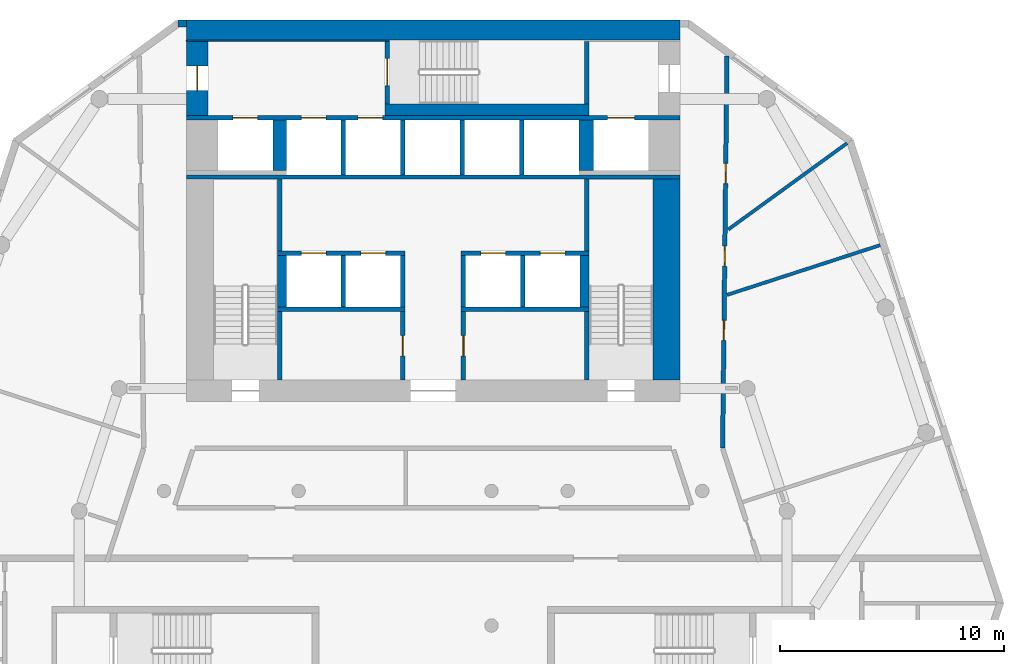
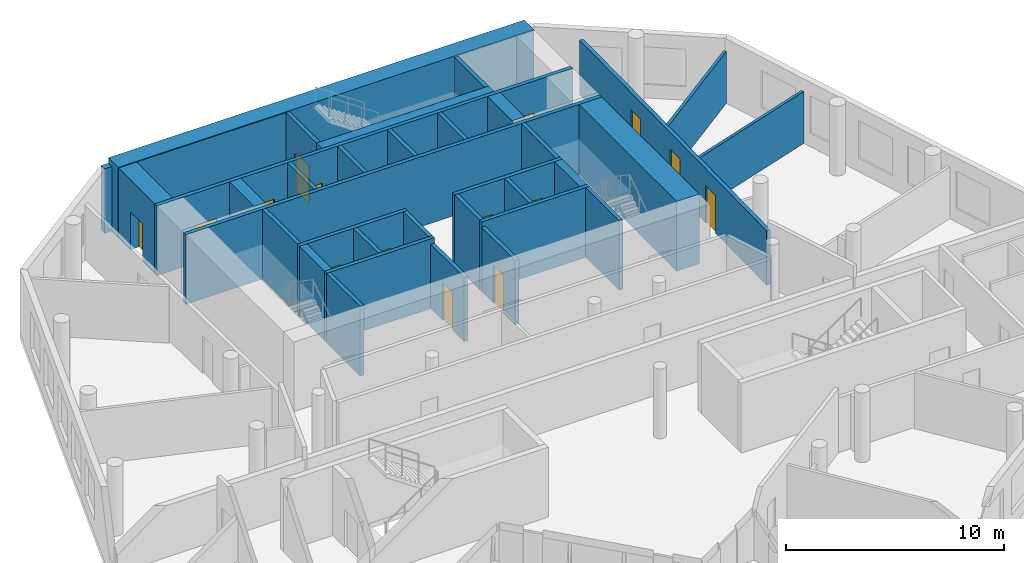
# One storey, part 5 of 8: 35 walls, 15 doors, 15 openings.
"""IFC4 building model written with IfcOpenShell, lengths in metres."""

import ifcopenshell
import ifcopenshell.guid

model = None  # the IFC model being written
_history = None  # IfcOwnerHistory: only IFC2X3 demands one
_inside = {}  # id of a spatial element -> (the spatial element, [elements in it])
_under = {}  # id of a project, library or spatial element -> (it, [spatial elements below it])
_declared = {}  # id of a project -> (the project, [libraries it declares])
_typed = {}  # id of a type object -> (the type object, [elements of that type])
_made_of = {}  # id of a material, layer set ... -> (it, [elements and type objects made of it])


def new_model(schema):
    """Start an empty IFC model of exactly this schema.

    Asked for "IFC4X3", IfcOpenShell would pick the latest addendum, in which some entities
    have other attributes; the version numbers below select the first issue.
    IFC2X3 requires an IfcOwnerHistory on every rooted entity: one is made here for all.
    """
    global model, _history
    if schema == "IFC4X3":
        model = ifcopenshell.file(schema_version=(4, 3, 0, 0))
    else:
        model = ifcopenshell.file(schema=schema)
    _inside.clear()
    _under.clear()
    _declared.clear()
    _typed.clear()
    _made_of.clear()
    _history = None
    if model.schema == "IFC2X3":
        org = make("IfcOrganization", Name="unknown")
        user = make(
            "IfcPersonAndOrganization",
            ThePerson=make("IfcPerson", FamilyName="unknown"),
            TheOrganization=org,
        )
        app = make(
            "IfcApplication",
            ApplicationDeveloper=org,
            Version="unknown",
            ApplicationFullName="unknown",
            ApplicationIdentifier="unknown",
        )
        _history = make(
            "IfcOwnerHistory",
            OwningUser=user,
            OwningApplication=app,
            ChangeAction="ADDED",
            CreationDate=0,
        )
    return model


def make(cls, **values):
    """One entity of the class cls with the attributes given. An attribute that is None is left unset."""
    return model.create_entity(
        cls, **{name: value for name, value in values.items() if value is not None}
    )


def rooted(cls, **values):
    """An entity with a GlobalId (a new one), such as an element, a storey or a relation."""
    return make(cls, GlobalId=ifcopenshell.guid.new(), OwnerHistory=_history, **values)


def si_unit(unit_type, name, prefix=None):
    """IfcSIUnit, for example si_unit("LENGTHUNIT", "METRE", prefix="MILLI")."""
    return make("IfcSIUnit", UnitType=unit_type, Prefix=prefix, Name=name)


def assignment(units):
    """IfcUnitAssignment: the units of a project."""
    return None if units is None else make("IfcUnitAssignment", Units=units)


def point(xyz):
    """IfcCartesianPoint."""
    return None if xyz is None else make("IfcCartesianPoint", Coordinates=xyz)


def direction(xyz):
    """IfcDirection."""
    return None if xyz is None else make("IfcDirection", DirectionRatios=xyz)


def frame(location, z_axis=None, x_axis=None):
    """IfcAxis2Placement3D, a coordinate frame: its origin and axes. An axis left out is left unset."""
    return make(
        "IfcAxis2Placement3D",
        Location=point(location),
        Axis=direction(z_axis),
        RefDirection=direction(x_axis),
    )


def frame_2d(location, x_axis=None):
    """IfcAxis2Placement2D, a coordinate frame in the plane: its origin and x axis."""
    return make(
        "IfcAxis2Placement2D", Location=point(location), RefDirection=direction(x_axis)
    )


def origin():
    """The frame at (0, 0, 0) with its axes left unset."""
    return frame((0.0, 0.0, 0.0))


def place(relative_to, where):
    """IfcLocalPlacement: puts the frame where relative to a parent placement (None: the world)."""
    return make(
        "IfcLocalPlacement", PlacementRelTo=relative_to, RelativePlacement=where
    )


def context(
    kind, dimensions, precision=None, world=None, true_north=None, identifier=None
):
    """IfcGeometricRepresentationContext, for example the 3D "Model" context."""
    return make(
        "IfcGeometricRepresentationContext",
        ContextIdentifier=identifier,
        ContextType=kind,
        CoordinateSpaceDimension=dimensions,
        Precision=precision,
        WorldCoordinateSystem=world,
        TrueNorth=true_north,
    )


def subcontext(parent, identifier, kind, view, scale=None):
    """IfcGeometricRepresentationSubContext, for example "Body" below "Model"."""
    return make(
        "IfcGeometricRepresentationSubContext",
        ContextIdentifier=identifier,
        ContextType=kind,
        ParentContext=parent,
        TargetScale=scale,
        TargetView=view,
    )


def project(units=None, contexts=None):
    """IfcProject with its units and contexts."""
    return rooted(
        "IfcProject",
        Name="project",
        RepresentationContexts=contexts,
        UnitsInContext=assignment(units),
    )


def spatial(cls, under=None, at=None, **own):
    """A site, building, storey or space (cls), placed at a placement, below another one or the project."""
    s = rooted(cls, ObjectPlacement=at, **own)
    if under is not None:
        _under.setdefault(under.id(), (under, []))[1].append(s)
    return s


def profile(cls, at=None, kind="AREA", **sizes):
    """A parametric profile (cls). Its sizes go by their IFC names, for example OverallWidth=200.0."""
    return make(cls, ProfileType=kind, Position=at, **sizes)


def rectangle(**sizes):
    """IfcRectangleProfileDef."""
    return profile("IfcRectangleProfileDef", **sizes)


def extrude(swept, where, along, depth):
    """IfcExtrudedAreaSolid: the profile swept, set in the frame where, extruded along a direction by depth."""
    return make(
        "IfcExtrudedAreaSolid",
        SweptArea=swept,
        Position=where,
        ExtrudedDirection=direction(along),
        Depth=depth,
    )


def shape(context_of_items, identifier, shape_type, items):
    """IfcShapeRepresentation: the items that make up one representation, for example the "Body"."""
    return make(
        "IfcShapeRepresentation",
        ContextOfItems=context_of_items,
        RepresentationIdentifier=identifier,
        RepresentationType=shape_type,
        Items=items,
    )


def material(Name=None, Category=None):
    """IfcMaterial."""
    return make("IfcMaterial", Name=Name, Category=Category)


def layer(
    of_material, thickness, ventilated=None, Name=None, Category=None, Priority=None
):
    """IfcMaterialLayer: one layer of a wall or slab, of a material (None: an air gap)."""
    return make(
        "IfcMaterialLayer",
        Material=of_material,
        LayerThickness=thickness,
        IsVentilated=ventilated,
        Name=Name,
        Category=Category,
        Priority=Priority,
    )


def layer_set(layers, Name=None):
    """IfcMaterialLayerSet."""
    return make("IfcMaterialLayerSet", MaterialLayers=layers, LayerSetName=Name)


def made_of(thing, what):
    """Note that an element or type object is made of a material, layer set ...; save() writes the relation."""
    if what is not None:
        _made_of.setdefault(what.id(), (what, []))[1].append(thing)
    return thing


def type_object(cls, material=None, **own):
    """A type object (cls), such as IfcWallType, which elements share."""
    return made_of(rooted(cls, **own), material)


def element(
    cls,
    number,
    at=None,
    inside=None,
    cuts=None,
    type_object=None,
    material=None,
    context=None,
    identifier="Body",
    shape_type=None,
    held_by="IfcProductDefinitionShape",
    body=None,
    shapes=None,
    **own,
):
    """One element of the class cls, such as IfcWall. Its Tag is "e" and its number.

    at: its placement. inside: the storey or other place that contains it. cuts: it is an
    opening in that element (IfcRelVoidsElement). A single representation is given by context,
    identifier, shape_type and body (its items); several are given by shapes. held_by: the class
    of the entity that holds the representations. save() writes the other relations.
    """
    e = rooted(cls, Tag="e%d" % number, ObjectPlacement=at, **own)
    if body is not None:
        shapes = [shape(context, identifier, shape_type, body)]
    if shapes is not None:
        e.Representation = make(held_by, Representations=shapes)
    if inside is not None:
        _inside.setdefault(inside.id(), (inside, []))[1].append(e)
    if cuts is not None:
        rooted(
            "IfcRelVoidsElement", RelatingBuildingElement=cuts, RelatedOpeningElement=e
        )
    if type_object is not None:
        _typed.setdefault(type_object.id(), (type_object, []))[1].append(e)
    return made_of(e, material)


def fill(opening, filler):
    """IfcRelFillsElement: the door or window that sits in an opening."""
    return rooted(
        "IfcRelFillsElement",
        RelatingOpeningElement=opening,
        RelatedBuildingElement=filler,
    )


def aggregate(whole, parts):
    """IfcRelAggregates: a whole, such as a stair, and the parts it consists of."""
    return rooted("IfcRelAggregates", RelatingObject=whole, RelatedObjects=parts)


def save(model, path):
    """Write the relations noted so far, then the file.

    IfcRelAggregates (storeys below a building ...), IfcRelContainedInSpatialStructure (elements
    in a storey), IfcRelDefinesByType, IfcRelAssociatesMaterial and IfcRelDeclares: one each for
    every whole, place, type object, material and project.
    """
    for whole, parts in _under.values():
        aggregate(whole, parts)
    for where, things in _inside.values():
        rooted(
            "IfcRelContainedInSpatialStructure",
            RelatedElements=things,
            RelatingStructure=where,
        )
    for kind, things in _typed.values():
        rooted("IfcRelDefinesByType", RelatedObjects=things, RelatingType=kind)
    for what, things in _made_of.values():
        rooted("IfcRelAssociatesMaterial", RelatedObjects=things, RelatingMaterial=what)
    for by, libraries in _declared.values():
        rooted("IfcRelDeclares", RelatingContext=by, RelatedDefinitions=libraries)
    model.write(path)


model = new_model("IFC4")

# Units and contexts
model_context = context("Model", 3, precision=1e-05, world=origin(), true_north=direction((0.0, 1.0)))
body_context = subcontext(model_context, "Body", "Model", "MODEL_VIEW")
ifc_project = project(units=[si_unit("LENGTHUNIT", "METRE"), si_unit("AREAUNIT", "SQUARE_METRE"), si_unit("VOLUMEUNIT", "CUBIC_METRE"), si_unit("PLANEANGLEUNIT", "RADIAN"), si_unit("MASSUNIT", "GRAM", prefix="KILO")], contexts=[model_context])

# Site, building, storey
site_placement = place(None, origin())
site = spatial("IfcSite", under=ifc_project, at=site_placement, CompositionType="ELEMENT")
building_placement = place(site_placement, origin())
building = spatial("IfcBuilding", under=site, at=building_placement, Name="White Candle Pilgrim Tower", CompositionType="ELEMENT")
storey_placement = place(building_placement, frame((0.0, 0.0, 152.5)))
storey = spatial("IfcBuildingStorey", under=building, at=storey_placement, Name="L34", CompositionType="ELEMENT", Elevation=152.5)

# Wall, openings, doors
ifc_material_1 = material(Name="Concrete C60/75", Category="concrete")
ifc_layer_1 = layer(ifc_material_1, 0.199951171875)
ifc_layer_set_1 = layer_set([ifc_layer_1], Name="Core wall 200 mm Concrete C60/75")
wall_type_1 = type_object("IfcWallType", Name="Core wall 200 mm Concrete C60/75", PredefinedType="SHEAR", material=ifc_layer_set_1)
wall_1_placement = place(storey_placement, frame((59.0, 83.64990234375, 0.0), z_axis=(0.0, 0.0, 1.0), x_axis=(1.0, 0.0, 0.0)))
wall_1 = element("IfcWall", 1, at=wall_1_placement, inside=storey, type_object=wall_type_1, Name="WL-L34-C41", PredefinedType="SHEAR", context=body_context, shape_type="SweptSolid", body=[
    extrude(rectangle(XDim=22.0, YDim=0.199951171875, at=frame_2d((11.0, 0.0))), origin(), (0.0, 0.0, 1.0), 3.89990234375),
])
opening_1_placement = place(wall_1_placement, frame((5.125, 0.0, 0.0)))
opening_1 = element("IfcOpeningElement", 2, at=opening_1_placement, cuts=wall_1, Name="Opening T10-017", PredefinedType="OPENING", context=body_context, shape_type="SweptSolid", body=[
    extrude(rectangle(XDim=1.10009765625, YDim=2.10009765625, at=frame_2d((0.550048828125, 1.050048828125))), frame((0.0, 0.10986328125, 0.0), z_axis=(0.0, -1.0, 0.0), x_axis=(1.0, 0.0, 0.0)), (0.0, 0.0, 1.0), 0.219970703125),
])
opening_2_placement = place(wall_1_placement, frame((7.64990234375, 0.0, 0.0)))
opening_2 = element("IfcOpeningElement", 3, at=opening_2_placement, cuts=wall_1, Name="Opening T10-018", PredefinedType="OPENING", context=body_context, shape_type="SweptSolid", body=[
    extrude(rectangle(XDim=1.10009765625, YDim=2.10009765625, at=frame_2d((0.550048828125, 1.050048828125))), frame((0.0, 0.10986328125, 0.0), z_axis=(0.0, -1.0, 0.0), x_axis=(1.0, 0.0, 0.0)), (0.0, 0.0, 1.0), 0.219970703125),
])
opening_3_placement = place(wall_1_placement, frame((18.77490234375, 0.0, 0.0)))
opening_3 = element("IfcOpeningElement", 4, at=opening_3_placement, cuts=wall_1, Name="Opening T10-019", PredefinedType="OPENING", context=body_context, shape_type="SweptSolid", body=[
    extrude(rectangle(XDim=1.199951171875, YDim=2.10009765625, at=frame_2d((0.60009765625, 1.050048828125))), frame((0.0, 0.10986328125, 0.0), z_axis=(0.0, -1.0, 0.0), x_axis=(1.0, 0.0, 0.0)), (0.0, 0.0, 1.0), 0.219970703125),
])
opening_4_placement = place(wall_1_placement, frame((2.074951171875, 0.0, 0.0)))
opening_4 = element("IfcOpeningElement", 5, at=opening_4_placement, cuts=wall_1, Name="Opening T10-020", PredefinedType="OPENING", context=body_context, shape_type="SweptSolid", body=[
    extrude(rectangle(XDim=1.10009765625, YDim=2.10009765625, at=frame_2d((0.550048828125, 1.050048828125))), frame((0.0, 0.10986328125, 0.0), z_axis=(0.0, -1.0, 0.0), x_axis=(1.0, 0.0, 0.0)), (0.0, 0.0, 1.0), 0.219970703125),
])
ifc_material_2 = material(Name="Stainless steel", Category="steel")
door_type_1 = type_object("IfcDoorType", Name="Lift landing door 1100 x 2100 EI 60", OperationType="DOUBLE_DOOR_SLIDING", PredefinedType="DOOR", material=ifc_material_2)
door_1_placement = place(opening_1_placement, origin())
door_1 = element("IfcDoor", 6, at=door_1_placement, inside=storey, type_object=door_type_1, Name="Door T10-017", OperationType="DOUBLE_DOOR_SLIDING", OverallHeight=2.10009765625, OverallWidth=1.10009765625, PredefinedType="DOOR", context=body_context, shape_type="SweptSolid", body=[
    extrude(rectangle(XDim=1.10009765625, YDim=2.10009765625, at=frame_2d((0.550048828125, 1.050048828125))), frame((0.0, 0.02490234375, 0.0), z_axis=(0.0, -1.0, 0.0), x_axis=(1.0, 0.0, 0.0)), (0.0, 0.0, 1.0), 0.050048828125),
])
fill(opening_1, door_1)
door_2_placement = place(opening_2_placement, origin())
door_2 = element("IfcDoor", 7, at=door_2_placement, inside=storey, type_object=door_type_1, Name="Door T10-018", OperationType="DOUBLE_DOOR_SLIDING", OverallHeight=2.10009765625, OverallWidth=1.10009765625, PredefinedType="DOOR", context=body_context, shape_type="SweptSolid", body=[
    extrude(rectangle(XDim=1.10009765625, YDim=2.10009765625, at=frame_2d((0.550048828125, 1.050048828125))), frame((0.0, 0.02490234375, 0.0), z_axis=(0.0, -1.0, 0.0), x_axis=(1.0, 0.0, 0.0)), (0.0, 0.0, 1.0), 0.050048828125),
])
fill(opening_2, door_2)
door_3_placement = place(opening_4_placement, origin())
door_3 = element("IfcDoor", 8, at=door_3_placement, inside=storey, type_object=door_type_1, Name="Door T10-020", OperationType="DOUBLE_DOOR_SLIDING", OverallHeight=2.10009765625, OverallWidth=1.10009765625, PredefinedType="DOOR", context=body_context, shape_type="SweptSolid", body=[
    extrude(rectangle(XDim=1.10009765625, YDim=2.10009765625, at=frame_2d((0.550048828125, 1.050048828125))), frame((0.0, 0.02490234375, 0.0), z_axis=(0.0, -1.0, 0.0), x_axis=(1.0, 0.0, 0.0)), (0.0, 0.0, 1.0), 0.050048828125),
])
fill(opening_4, door_3)
door_type_2 = type_object("IfcDoorType", Name="Lift landing door 1200 x 2100 E 60", OperationType="DOUBLE_DOOR_SLIDING", PredefinedType="DOOR", material=ifc_material_2)
door_4_placement = place(opening_3_placement, origin())
door_4 = element("IfcDoor", 9, at=door_4_placement, inside=storey, type_object=door_type_2, Name="Door T10-019", OperationType="DOUBLE_DOOR_SLIDING", OverallHeight=2.10009765625, OverallWidth=1.199951171875, PredefinedType="DOOR", context=body_context, shape_type="SweptSolid", body=[
    extrude(rectangle(XDim=1.199951171875, YDim=2.10009765625, at=frame_2d((0.60009765625, 1.050048828125))), frame((0.0, 0.02490234375, 0.0), z_axis=(0.0, -1.0, 0.0), x_axis=(1.0, 0.0, 0.0)), (0.0, 0.0, 1.0), 0.050048828125),
])
fill(opening_3, door_4)

# Wall, opening, door
ifc_layer_2 = layer(ifc_material_1, 0.949951171875)
ifc_layer_set_2 = layer_set([ifc_layer_2], Name="Core wall 950 mm Concrete C60/75")
wall_type_2 = type_object("IfcWallType", Name="Core wall 950 mm Concrete C60/75", PredefinedType="SHEAR", material=ifc_layer_set_2)
wall_2_placement = place(storey_placement, frame((59.47509765625, 83.75, 0.0), z_axis=(0.0, 0.0, 1.0), x_axis=(0.0, 1.0, 0.0)))
wall_2 = element("IfcWall", 10, at=wall_2_placement, inside=storey, type_object=wall_type_2, Name="WL-L34-C42", PredefinedType="SHEAR", context=body_context, shape_type="SweptSolid", body=[
    extrude(rectangle(XDim=3.300048828125, YDim=0.949951171875, at=frame_2d((1.64990234375, 0.0))), origin(), (0.0, 0.0, 1.0), 3.89990234375),
])
opening_5_placement = place(wall_2_placement, frame((1.10009765625, 0.0, 0.0)))
opening_5 = element("IfcOpeningElement", 11, at=opening_5_placement, cuts=wall_2, Name="Opening T10-007", PredefinedType="OPENING", context=body_context, shape_type="SweptSolid", body=[
    extrude(rectangle(XDim=1.10009765625, YDim=2.10009765625, at=frame_2d((0.550048828125, 1.050048828125))), frame((0.0, 0.48486328125, 0.0), z_axis=(0.0, -1.0, 0.0), x_axis=(1.0, 0.0, 0.0)), (0.0, 0.0, 1.0), 0.969970703125),
])
ifc_material_3 = material(Name="Steel door leaf", Category="steel")
door_type_3 = type_object("IfcDoorType", Name="Fire door 1100 x 2100 EI 60", OperationType="NOTDEFINED", PredefinedType="DOOR", material=ifc_material_3)
door_5_placement = place(opening_5_placement, origin())
door_5 = element("IfcDoor", 12, at=door_5_placement, inside=storey, type_object=door_type_3, Name="Door T10-007", OperationType="SINGLE_SWING_LEFT", OverallHeight=2.10009765625, OverallWidth=1.10009765625, PredefinedType="DOOR", context=body_context, shape_type="SweptSolid", body=[
    extrude(rectangle(XDim=1.10009765625, YDim=2.10009765625, at=frame_2d((0.550048828125, 1.050048828125))), frame((0.0, 0.02490234375, 0.0), z_axis=(0.0, -1.0, 0.0), x_axis=(1.0, 0.0, 0.0)), (0.0, 0.0, 1.0), 0.050048828125),
])
fill(opening_5, door_5)

# Wall, openings, doors
ifc_material_4 = material(Name="Gypsum board on steel studs", Category="steel")
ifc_layer_3 = layer(ifc_material_4, 0.199951171875)
ifc_layer_set_3 = layer_set([ifc_layer_3], Name="Corridor wall 200 mm EI 45")
wall_type_3 = type_object("IfcWallType", Name="Corridor wall 200 mm EI 45", PredefinedType="PARTITIONING", material=ifc_layer_set_3)
wall_3_placement = place(storey_placement, frame((83.10009765625, 86.396240234375, 0.0), z_axis=(0.0, 0.0, 1.0), x_axis=(-0.011061239263, -0.999938822622, 0.0)))
wall_3 = element("IfcWall", 13, at=wall_3_placement, inside=storey, type_object=wall_type_3, Name="WL-L34-P004", PredefinedType="PARTITIONING", context=body_context, shape_type="SweptSolid", body=[
    extrude(rectangle(XDim=17.480712890625, YDim=0.199951171875, at=frame_2d((8.740234375, 0.0))), origin(), (0.0, 0.0, 1.0), 3.050048828125),
])
opening_6_placement = place(wall_3_placement, frame((4.794189453125, 0.0, 0.0)))
opening_6 = element("IfcOpeningElement", 14, at=opening_6_placement, cuts=wall_3, Name="Opening T10-120", PredefinedType="OPENING", context=body_context, shape_type="SweptSolid", body=[
    extrude(rectangle(XDim=0.89990234375, YDim=2.10009765625, at=frame_2d((0.449951171875, 1.050048828125))), frame((0.0, 0.10986328125, 0.0), z_axis=(0.0, -1.0, 0.0), x_axis=(1.0, 0.0, 0.0)), (0.0, 0.0, 1.0), 0.219970703125),
])
opening_7_placement = place(wall_3_placement, frame((8.476318359375, 0.0, 0.0)))
opening_7 = element("IfcOpeningElement", 15, at=opening_7_placement, cuts=wall_3, Name="Opening T10-121", PredefinedType="OPENING", context=body_context, shape_type="SweptSolid", body=[
    extrude(rectangle(XDim=0.89990234375, YDim=2.10009765625, at=frame_2d((0.449951171875, 1.050048828125))), frame((0.0, 0.10986328125, 0.0), z_axis=(0.0, -1.0, 0.0), x_axis=(1.0, 0.0, 0.0)), (0.0, 0.0, 1.0), 0.219970703125),
])
opening_8_placement = place(wall_3_placement, frame((11.78662109375, 0.0, 0.0)))
opening_8 = element("IfcOpeningElement", 16, at=opening_8_placement, cuts=wall_3, Name="Opening T10-122", PredefinedType="OPENING", context=body_context, shape_type="SweptSolid", body=[
    extrude(rectangle(XDim=0.89990234375, YDim=2.10009765625, at=frame_2d((0.449951171875, 1.050048828125))), frame((0.0, 0.10986328125, 0.0), z_axis=(0.0, -1.0, 0.0), x_axis=(1.0, 0.0, 0.0)), (0.0, 0.0, 1.0), 0.219970703125),
])
door_type_4 = type_object("IfcDoorType", Name="Fire door 900 x 2100 EI 30", OperationType="NOTDEFINED", PredefinedType="DOOR", material=ifc_material_3)
door_6_placement = place(opening_6_placement, origin())
door_6 = element("IfcDoor", 17, at=door_6_placement, inside=storey, type_object=door_type_4, Name="Door T10-120", OperationType="SINGLE_SWING_RIGHT", OverallHeight=2.10009765625, OverallWidth=0.89990234375, PredefinedType="DOOR", context=body_context, shape_type="SweptSolid", body=[
    extrude(rectangle(XDim=0.89990234375, YDim=2.10009765625, at=frame_2d((0.449951171875, 1.050048828125))), frame((0.0, 0.02490234375, 0.0), z_axis=(0.0, -1.0, 0.0), x_axis=(1.0, 0.0, 0.0)), (0.0, 0.0, 1.0), 0.050048828125),
])
fill(opening_6, door_6)
door_7_placement = place(opening_7_placement, origin())
door_7 = element("IfcDoor", 18, at=door_7_placement, inside=storey, type_object=door_type_4, Name="Door T10-121", OperationType="SINGLE_SWING_LEFT", OverallHeight=2.10009765625, OverallWidth=0.89990234375, PredefinedType="DOOR", context=body_context, shape_type="SweptSolid", body=[
    extrude(rectangle(XDim=0.89990234375, YDim=2.10009765625, at=frame_2d((0.449951171875, 1.050048828125))), frame((0.0, 0.02490234375, 0.0), z_axis=(0.0, -1.0, 0.0), x_axis=(1.0, 0.0, 0.0)), (0.0, 0.0, 1.0), 0.050048828125),
])
fill(opening_7, door_7)
door_8_placement = place(opening_8_placement, origin())
door_8 = element("IfcDoor", 19, at=door_8_placement, inside=storey, type_object=door_type_4, Name="Door T10-122", OperationType="SINGLE_SWING_RIGHT", OverallHeight=2.10009765625, OverallWidth=0.89990234375, PredefinedType="DOOR", context=body_context, shape_type="SweptSolid", body=[
    extrude(rectangle(XDim=0.89990234375, YDim=2.10009765625, at=frame_2d((0.449951171875, 1.050048828125))), frame((0.0, 0.02490234375, 0.0), z_axis=(0.0, -1.0, 0.0), x_axis=(1.0, 0.0, 0.0)), (0.0, 0.0, 1.0), 0.050048828125),
])
fill(opening_8, door_8)

# Wall
ifc_material_5 = material(Name="Precast concrete C40/50", Category="concrete")
ifc_layer_4 = layer(ifc_material_5, 0.320068359375)
ifc_layer_set_4 = layer_set([ifc_layer_4], Name="Facade wall EW1 precast concrete C40/50 pier wall with timber-lined reveals")
wall_type_4 = type_object("IfcWallType", Name="Facade wall EW1 precast concrete C40/50 pier wall with timber-lined reveals", PredefinedType="SOLIDWALL", material=ifc_layer_set_4)
wall_4_placement = place(storey_placement, frame((59.0, 87.840087890625, 0.0), z_axis=(0.0, 0.0, 1.0), x_axis=(-1.0, 0.0, 0.0)))
element("IfcWall", 20, at=wall_4_placement, inside=storey, type_object=wall_type_4, Name="Facade wall L34 N", PredefinedType="SOLIDWALL", context=body_context, shape_type="SweptSolid", body=[
    extrude(rectangle(XDim=0.385009765625, YDim=0.320068359375, at=frame_2d((0.1923828125, 0.0))), origin(), (0.0, 0.0, 1.0), 3.60009765625),
])

# Wall, opening, door
ifc_layer_5 = layer(ifc_material_4, 0.199951171875)
ifc_layer_set_5 = layer_set([ifc_layer_5], Name="Lobby wall 200 mm EI 60")
wall_type_5 = type_object("IfcWallType", Name="Lobby wall 200 mm EI 60", PredefinedType="PARTITIONING", material=ifc_layer_set_5)
wall_5_placement = place(storey_placement, frame((68.64990234375, 71.949951171875, 0.0), z_axis=(0.0, 0.0, 1.0), x_axis=(0.0, 1.0, 0.0)))
wall_5 = element("IfcWall", 21, at=wall_5_placement, inside=storey, type_object=wall_type_5, Name="WL-L34-C14", PredefinedType="PARTITIONING", context=body_context, shape_type="SweptSolid", body=[
    extrude(rectangle(XDim=3.050048828125, YDim=0.199951171875, at=frame_2d((1.52490234375, 0.0))), origin(), (0.0, 0.0, 1.0), 3.60009765625),
])
opening_9_placement = place(wall_5_placement, frame((1.074951171875, 0.0, 0.0)))
opening_9 = element("IfcOpeningElement", 22, at=opening_9_placement, cuts=wall_5, Name="Opening T10-005", PredefinedType="OPENING", context=body_context, shape_type="SweptSolid", body=[
    extrude(rectangle(XDim=0.89990234375, YDim=2.10009765625, at=frame_2d((0.449951171875, 1.050048828125))), frame((0.0, 0.10986328125, 0.0), z_axis=(0.0, -1.0, 0.0), x_axis=(1.0, 0.0, 0.0)), (0.0, 0.0, 1.0), 0.219970703125),
])
door_9_placement = place(opening_9_placement, origin())
door_9 = element("IfcDoor", 23, at=door_9_placement, inside=storey, type_object=door_type_4, Name="Door T10-005", OperationType="SINGLE_SWING_LEFT", OverallHeight=2.10009765625, OverallWidth=0.89990234375, PredefinedType="DOOR", context=body_context, shape_type="SweptSolid", body=[
    extrude(rectangle(XDim=0.89990234375, YDim=2.10009765625, at=frame_2d((0.449951171875, 1.050048828125))), frame((0.0, 0.02490234375, 0.0), z_axis=(0.0, -1.0, 0.0), x_axis=(1.0, 0.0, 0.0)), (0.0, 0.0, 1.0), 0.050048828125),
])
fill(opening_9, door_9)

wall_6_placement = place(storey_placement, frame((71.35009765625, 71.949951171875, 0.0), z_axis=(0.0, 0.0, 1.0), x_axis=(0.0, 1.0, 0.0)))
wall_6 = element("IfcWall", 24, at=wall_6_placement, inside=storey, type_object=wall_type_5, Name="WL-L34-C15", PredefinedType="PARTITIONING", context=body_context, shape_type="SweptSolid", body=[
    extrude(rectangle(XDim=3.050048828125, YDim=0.199951171875, at=frame_2d((1.52490234375, 0.0))), origin(), (0.0, 0.0, 1.0), 3.60009765625),
])
opening_10_placement = place(wall_6_placement, frame((1.074951171875, 0.0, 0.0)))
opening_10 = element("IfcOpeningElement", 25, at=opening_10_placement, cuts=wall_6, Name="Opening T10-006", PredefinedType="OPENING", context=body_context, shape_type="SweptSolid", body=[
    extrude(rectangle(XDim=0.89990234375, YDim=2.10009765625, at=frame_2d((0.449951171875, 1.050048828125))), frame((0.0, 0.10986328125, 0.0), z_axis=(0.0, -1.0, 0.0), x_axis=(1.0, 0.0, 0.0)), (0.0, 0.0, 1.0), 0.219970703125),
])
door_10_placement = place(opening_10_placement, origin())
door_10 = element("IfcDoor", 26, at=door_10_placement, inside=storey, type_object=door_type_4, Name="Door T10-006", OperationType="SINGLE_SWING_RIGHT", OverallHeight=2.10009765625, OverallWidth=0.89990234375, PredefinedType="DOOR", context=body_context, shape_type="SweptSolid", body=[
    extrude(rectangle(XDim=0.89990234375, YDim=2.10009765625, at=frame_2d((0.449951171875, 1.050048828125))), frame((0.0, 0.02490234375, 0.0), z_axis=(0.0, -1.0, 0.0), x_axis=(1.0, 0.0, 0.0)), (0.0, 0.0, 1.0), 0.050048828125),
])
fill(opening_10, door_10)

# Walls
ifc_layer_6 = layer(ifc_material_4, 0.14990234375)
ifc_layer_set_6 = layer_set([ifc_layer_6], Name="Partition 150 mm EI 60")
wall_type_6 = type_object("IfcWallType", Name="Partition 150 mm EI 60", PredefinedType="PARTITIONING", material=ifc_layer_set_6)
wall_7_placement = place(storey_placement, frame((88.453125, 82.5068359375, 0.0), z_axis=(0.0, 0.0, 1.0), x_axis=(-0.809023171625, -0.587776749944, 0.0)))
element("IfcWall", 27, at=wall_7_placement, inside=storey, type_object=wall_type_6, Name="WL-L34-P024", PredefinedType="PARTITIONING", context=body_context, shape_type="SweptSolid", body=[
    extrude(rectangle(XDim=6.543701171875, YDim=0.14990234375, at=frame_2d((3.27197265625, 0.0))), origin(), (0.0, 0.0, 1.0), 2.89990234375),
])
wall_8_placement = place(storey_placement, frame((89.930419921875, 77.9609375, 0.0), z_axis=(0.0, 0.0, 1.0), x_axis=(-0.951058069713, -0.309012213406, 0.0)))
element("IfcWall", 28, at=wall_8_placement, inside=storey, type_object=wall_type_6, Name="WL-L34-P037", PredefinedType="PARTITIONING", context=body_context, shape_type="SweptSolid", body=[
    extrude(rectangle(XDim=7.17529296875, YDim=0.14990234375, at=frame_2d((3.587646484375, 0.0))), origin(), (0.0, 0.0, 1.0), 2.89990234375),
])
ifc_layer_7 = layer(ifc_material_1, 0.199951171875)
ifc_layer_set_7 = layer_set([ifc_layer_7], Name="Shaft wall 200 mm Concrete C60/75")
wall_type_7 = type_object("IfcWallType", Name="Shaft wall 200 mm Concrete C60/75", PredefinedType="SHEAR", material=ifc_layer_set_7)
for number, where, z_axis, x_axis, name in (
    (29, (66.0, 75.199951171875, 0.0), (0.0, 0.0, 1.0), (0.0, 1.0, 0.0), "WL-L34-C21"),
    (30, (68.64990234375, 75.199951171875, 0.0), (0.0, 0.0, 1.0), (0.0, 1.0, 0.0), "WL-L34-C22"),
    (31, (71.35009765625, 75.199951171875, 0.0), (0.0, 0.0, 1.0), (0.0, 1.0, 0.0), "WL-L34-C23"),
    (32, (74.0, 75.199951171875, 0.0), (0.0, 0.0, 1.0), (0.0, 1.0, 0.0), "WL-L34-C24"),
):
    element("IfcWall", number, at=place(storey_placement, frame(where, z_axis=z_axis, x_axis=x_axis)), inside=storey, type_object=wall_type_7, Name=name, PredefinedType="SHEAR", context=body_context, shape_type="SweptSolid", body=[
        extrude(rectangle(XDim=2.300048828125, YDim=0.199951171875, at=frame_2d((1.14990234375, 0.0))), origin(), (0.0, 0.0, 1.0), 3.89990234375),
    ])
for number, where, z_axis, x_axis, name in (
    (33, (66.0, 81.10009765625, 0.0), (0.0, 0.0, 1.0), (0.0, 1.0, 0.0), "WL-L34-C32"),
    (34, (68.64990234375, 81.10009765625, 0.0), (0.0, 0.0, 1.0), (0.0, 1.0, 0.0), "WL-L34-C33"),
    (35, (71.300048828125, 81.10009765625, 0.0), (0.0, 0.0, 1.0), (0.0, 1.0, 0.0), "WL-L34-C34"),
    (36, (73.949951171875, 81.10009765625, 0.0), (0.0, 0.0, 1.0), (0.0, 1.0, 0.0), "WL-L34-C35"),
):
    element("IfcWall", number, at=place(storey_placement, frame(where, z_axis=z_axis, x_axis=x_axis)), inside=storey, type_object=wall_type_7, Name=name, PredefinedType="SHEAR", context=body_context, shape_type="SweptSolid", body=[
        extrude(rectangle(XDim=2.449951171875, YDim=0.199951171875, at=frame_2d((1.22509765625, 0.0))), origin(), (0.0, 0.0, 1.0), 3.89990234375),
    ])
ifc_layer_8 = layer(ifc_material_1, 0.60009765625)
ifc_layer_set_8 = layer_set([ifc_layer_8], Name="Shaft wall 600 mm Concrete C60/75")
wall_type_8 = type_object("IfcWallType", Name="Shaft wall 600 mm Concrete C60/75", PredefinedType="SHEAR", material=ifc_layer_set_8)
wall_9_placement = place(storey_placement, frame((63.14990234375, 81.300048828125, 0.0), z_axis=(0.0, 0.0, 1.0), x_axis=(0.0, 1.0, 0.0)))
element("IfcWall", 37, at=wall_9_placement, inside=storey, type_object=wall_type_8, Name="WL-L34-C38", PredefinedType="SHEAR", context=body_context, shape_type="SweptSolid", body=[
    extrude(rectangle(XDim=2.25, YDim=0.60009765625, at=frame_2d((1.125, 0.0))), origin(), (0.0, 0.0, 1.0), 3.89990234375),
])
ifc_layer_9 = layer(ifc_material_1, 0.64990234375)
ifc_layer_set_9 = layer_set([ifc_layer_9], Name="Shaft wall 650 mm Concrete C60/75")
wall_type_9 = type_object("IfcWallType", Name="Shaft wall 650 mm Concrete C60/75", PredefinedType="SHEAR", material=ifc_layer_set_9)
wall_10_placement = place(storey_placement, frame((76.824951171875, 81.300048828125, 0.0), z_axis=(0.0, 0.0, 1.0), x_axis=(0.0, 1.0, 0.0)))
element("IfcWall", 38, at=wall_10_placement, inside=storey, type_object=wall_type_9, Name="WL-L34-C39", PredefinedType="SHEAR", context=body_context, shape_type="SweptSolid", body=[
    extrude(rectangle(XDim=2.25, YDim=0.64990234375, at=frame_2d((1.125, 0.0))), origin(), (0.0, 0.0, 1.0), 3.89990234375),
])
ifc_layer_10 = layer(ifc_material_1, 1.199951171875)
ifc_layer_set_10 = layer_set([ifc_layer_10], Name="Stair shaft wall 1200 mm Concrete C60/75")
wall_type_10 = type_object("IfcWallType", Name="Stair shaft wall 1200 mm Concrete C60/75", PredefinedType="SHEAR", material=ifc_layer_set_10)
wall_11_placement = place(storey_placement, frame((80.39990234375, 71.949951171875, 0.0), z_axis=(0.0, 0.0, 1.0), x_axis=(0.0, 1.0, 0.0)))
element("IfcWall", 39, at=wall_11_placement, inside=storey, type_object=wall_type_10, Name="WL-L34-C17", PredefinedType="SHEAR", context=body_context, shape_type="SweptSolid", body=[
    extrude(rectangle(XDim=8.949951171875, YDim=1.199951171875, at=frame_2d((4.47509765625, 0.0))), origin(), (0.0, 0.0, 1.0), 3.89990234375),
])
ifc_layer_11 = layer(ifc_material_1, 0.199951171875)
ifc_layer_set_11 = layer_set([ifc_layer_11], Name="Stair shaft wall 200 mm Concrete C60/75")
wall_type_11 = type_object("IfcWallType", Name="Stair shaft wall 200 mm Concrete C60/75", PredefinedType="SHEAR", material=ifc_layer_set_11)
for number, where, z_axis, x_axis, name in (
    (40, (63.14990234375, 71.949951171875, 0.0), (0.0, 0.0, 1.0), (0.0, 1.0, 0.0), "WL-L34-C13"),
    (41, (76.85009765625, 71.949951171875, 0.0), (0.0, 0.0, 1.0), (0.0, 1.0, 0.0), "WL-L34-C16"),
):
    element("IfcWall", number, at=place(storey_placement, frame(where, z_axis=z_axis, x_axis=x_axis)), inside=storey, type_object=wall_type_11, Name=name, PredefinedType="SHEAR", context=body_context, shape_type="SweptSolid", body=[
        extrude(rectangle(XDim=3.050048828125, YDim=0.199951171875, at=frame_2d((1.52490234375, 0.0))), origin(), (0.0, 0.0, 1.0), 3.89990234375),
    ])
for number, where, z_axis, x_axis, name in (
    (42, (63.050048828125, 75.10009765625, 0.0), (0.0, 0.0, 1.0), (1.0, 0.0, 0.0), "WL-L34-C18"),
    (43, (71.25, 75.10009765625, 0.0), (0.0, 0.0, 1.0), (1.0, 0.0, 0.0), "WL-L34-C19"),
):
    element("IfcWall", number, at=place(storey_placement, frame(where, z_axis=z_axis, x_axis=x_axis)), inside=storey, type_object=wall_type_11, Name=name, PredefinedType="SHEAR", context=body_context, shape_type="SweptSolid", body=[
        extrude(rectangle(XDim=5.699951171875, YDim=0.199951171875, at=frame_2d((2.85009765625, 0.0))), origin(), (0.0, 0.0, 1.0), 3.89990234375),
    ])

# Wall, openings, doors
wall_12_placement = place(storey_placement, frame((63.050048828125, 77.60009765625, 0.0), z_axis=(0.0, 0.0, 1.0), x_axis=(1.0, 0.0, 0.0)))
wall_12 = element("IfcWall", 44, at=wall_12_placement, inside=storey, type_object=wall_type_11, Name="WL-L34-C26", PredefinedType="SHEAR", context=body_context, shape_type="SweptSolid", body=[
    extrude(rectangle(XDim=5.699951171875, YDim=0.199951171875, at=frame_2d((2.85009765625, 0.0))), origin(), (0.0, 0.0, 1.0), 3.89990234375),
])
opening_11_placement = place(wall_12_placement, frame((1.074951171875, 0.0, 0.0)))
opening_11 = element("IfcOpeningElement", 45, at=opening_11_placement, cuts=wall_12, Name="Opening T10-013", PredefinedType="OPENING", context=body_context, shape_type="SweptSolid", body=[
    extrude(rectangle(XDim=1.10009765625, YDim=2.10009765625, at=frame_2d((0.550048828125, 1.050048828125))), frame((0.0, 0.10986328125, 0.0), z_axis=(0.0, -1.0, 0.0), x_axis=(1.0, 0.0, 0.0)), (0.0, 0.0, 1.0), 0.219970703125),
])
opening_12_placement = place(wall_12_placement, frame((3.72509765625, 0.0, 0.0)))
opening_12 = element("IfcOpeningElement", 46, at=opening_12_placement, cuts=wall_12, Name="Opening T10-014", PredefinedType="OPENING", context=body_context, shape_type="SweptSolid", body=[
    extrude(rectangle(XDim=1.10009765625, YDim=2.10009765625, at=frame_2d((0.550048828125, 1.050048828125))), frame((0.0, 0.10986328125, 0.0), z_axis=(0.0, -1.0, 0.0), x_axis=(1.0, 0.0, 0.0)), (0.0, 0.0, 1.0), 0.219970703125),
])
door_type_5 = type_object("IfcDoorType", Name="Lift landing door 1100 x 2100 E 60", OperationType="DOUBLE_DOOR_SLIDING", PredefinedType="DOOR", material=ifc_material_2)
door_11_placement = place(opening_11_placement, origin())
door_11 = element("IfcDoor", 47, at=door_11_placement, inside=storey, type_object=door_type_5, Name="Door T10-013", OperationType="DOUBLE_DOOR_SLIDING", OverallHeight=2.10009765625, OverallWidth=1.10009765625, PredefinedType="DOOR", context=body_context, shape_type="SweptSolid", body=[
    extrude(rectangle(XDim=1.10009765625, YDim=2.10009765625, at=frame_2d((0.550048828125, 1.050048828125))), frame((0.0, 0.02490234375, 0.0), z_axis=(0.0, -1.0, 0.0), x_axis=(1.0, 0.0, 0.0)), (0.0, 0.0, 1.0), 0.050048828125),
])
fill(opening_11, door_11)
door_12_placement = place(opening_12_placement, origin())
door_12 = element("IfcDoor", 48, at=door_12_placement, inside=storey, type_object=door_type_5, Name="Door T10-014", OperationType="DOUBLE_DOOR_SLIDING", OverallHeight=2.10009765625, OverallWidth=1.10009765625, PredefinedType="DOOR", context=body_context, shape_type="SweptSolid", body=[
    extrude(rectangle(XDim=1.10009765625, YDim=2.10009765625, at=frame_2d((0.550048828125, 1.050048828125))), frame((0.0, 0.02490234375, 0.0), z_axis=(0.0, -1.0, 0.0), x_axis=(1.0, 0.0, 0.0)), (0.0, 0.0, 1.0), 0.050048828125),
])
fill(opening_12, door_12)

wall_13_placement = place(storey_placement, frame((71.25, 77.60009765625, 0.0), z_axis=(0.0, 0.0, 1.0), x_axis=(1.0, 0.0, 0.0)))
wall_13 = element("IfcWall", 49, at=wall_13_placement, inside=storey, type_object=wall_type_11, Name="WL-L34-C27", PredefinedType="SHEAR", context=body_context, shape_type="SweptSolid", body=[
    extrude(rectangle(XDim=5.699951171875, YDim=0.199951171875, at=frame_2d((2.85009765625, 0.0))), origin(), (0.0, 0.0, 1.0), 3.89990234375),
])
opening_13_placement = place(wall_13_placement, frame((0.875, 0.0, 0.0)))
opening_13 = element("IfcOpeningElement", 50, at=opening_13_placement, cuts=wall_13, Name="Opening T10-015", PredefinedType="OPENING", context=body_context, shape_type="SweptSolid", body=[
    extrude(rectangle(XDim=1.10009765625, YDim=2.10009765625, at=frame_2d((0.550048828125, 1.050048828125))), frame((0.0, 0.10986328125, 0.0), z_axis=(0.0, -1.0, 0.0), x_axis=(1.0, 0.0, 0.0)), (0.0, 0.0, 1.0), 0.219970703125),
])
opening_14_placement = place(wall_13_placement, frame((3.52490234375, 0.0, 0.0)))
opening_14 = element("IfcOpeningElement", 51, at=opening_14_placement, cuts=wall_13, Name="Opening T10-016", PredefinedType="OPENING", context=body_context, shape_type="SweptSolid", body=[
    extrude(rectangle(XDim=1.10009765625, YDim=2.10009765625, at=frame_2d((0.550048828125, 1.050048828125))), frame((0.0, 0.10986328125, 0.0), z_axis=(0.0, -1.0, 0.0), x_axis=(1.0, 0.0, 0.0)), (0.0, 0.0, 1.0), 0.219970703125),
])
door_13_placement = place(opening_13_placement, origin())
door_13 = element("IfcDoor", 52, at=door_13_placement, inside=storey, type_object=door_type_5, Name="Door T10-015", OperationType="DOUBLE_DOOR_SLIDING", OverallHeight=2.10009765625, OverallWidth=1.10009765625, PredefinedType="DOOR", context=body_context, shape_type="SweptSolid", body=[
    extrude(rectangle(XDim=1.10009765625, YDim=2.10009765625, at=frame_2d((0.550048828125, 1.050048828125))), frame((0.0, 0.02490234375, 0.0), z_axis=(0.0, -1.0, 0.0), x_axis=(1.0, 0.0, 0.0)), (0.0, 0.0, 1.0), 0.050048828125),
])
fill(opening_13, door_13)
door_14_placement = place(opening_14_placement, origin())
door_14 = element("IfcDoor", 53, at=door_14_placement, inside=storey, type_object=door_type_5, Name="Door T10-016", OperationType="DOUBLE_DOOR_SLIDING", OverallHeight=2.10009765625, OverallWidth=1.10009765625, PredefinedType="DOOR", context=body_context, shape_type="SweptSolid", body=[
    extrude(rectangle(XDim=1.10009765625, YDim=2.10009765625, at=frame_2d((0.550048828125, 1.050048828125))), frame((0.0, 0.02490234375, 0.0), z_axis=(0.0, -1.0, 0.0), x_axis=(1.0, 0.0, 0.0)), (0.0, 0.0, 1.0), 0.050048828125),
])
fill(opening_14, door_14)

# Walls
for number, where, z_axis, x_axis, name in (
    (54, (63.14990234375, 77.699951171875, 0.0), (0.0, 0.0, 1.0), (0.0, 1.0, 0.0), "WL-L34-C28"),
    (55, (76.85009765625, 77.699951171875, 0.0), (0.0, 0.0, 1.0), (0.0, 1.0, 0.0), "WL-L34-C29"),
):
    element("IfcWall", number, at=place(storey_placement, frame(where, z_axis=z_axis, x_axis=x_axis)), inside=storey, type_object=wall_type_11, Name=name, PredefinedType="SHEAR", context=body_context, shape_type="SweptSolid", body=[
        extrude(rectangle(XDim=3.199951171875, YDim=0.199951171875, at=frame_2d((1.60009765625, 0.0))), origin(), (0.0, 0.0, 1.0), 3.89990234375),
    ])
wall_14_placement = place(storey_placement, frame((59.0, 81.0, 0.0), z_axis=(0.0, 0.0, 1.0), x_axis=(1.0, 0.0, 0.0)))
element("IfcWall", 56, at=wall_14_placement, inside=storey, type_object=wall_type_11, Name="WL-L34-C30", PredefinedType="SHEAR", context=body_context, shape_type="SweptSolid", body=[
    extrude(rectangle(XDim=22.0, YDim=0.199951171875, at=frame_2d((11.0, 0.0))), origin(), (0.0, 0.0, 1.0), 3.89990234375),
])

# Wall, opening, door
wall_15_placement = place(storey_placement, frame((67.949951171875, 84.25, 0.0), z_axis=(0.0, 0.0, 1.0), x_axis=(0.0, 1.0, 0.0)))
wall_15 = element("IfcWall", 57, at=wall_15_placement, inside=storey, type_object=wall_type_11, Name="WL-L34-C45", PredefinedType="SHEAR", context=body_context, shape_type="SweptSolid", body=[
    extrude(rectangle(XDim=2.800048828125, YDim=0.199951171875, at=frame_2d((1.39990234375, 0.0))), origin(), (0.0, 0.0, 1.0), 3.89990234375),
])
opening_15_placement = place(wall_15_placement, frame((0.824951171875, 0.0, 0.0)))
opening_15 = element("IfcOpeningElement", 58, at=opening_15_placement, cuts=wall_15, Name="Opening T10-003", PredefinedType="OPENING", context=body_context, shape_type="SweptSolid", body=[
    extrude(rectangle(XDim=1.199951171875, YDim=2.10009765625, at=frame_2d((0.60009765625, 1.050048828125))), frame((0.0, 0.10986328125, 0.0), z_axis=(0.0, -1.0, 0.0), x_axis=(1.0, 0.0, 0.0)), (0.0, 0.0, 1.0), 0.219970703125),
])
door_type_6 = type_object("IfcDoorType", Name="Fire door 1200 x 2100 EI 60", OperationType="NOTDEFINED", PredefinedType="DOOR", material=ifc_material_3)
door_15_placement = place(opening_15_placement, frame((1.199951171875, 0.0, 0.0), z_axis=(0.0, 0.0, 1.0), x_axis=(-1.0, 0.0, 0.0)))
door_15 = element("IfcDoor", 59, at=door_15_placement, inside=storey, type_object=door_type_6, Name="Door T10-003", OperationType="SINGLE_SWING_RIGHT", OverallHeight=2.10009765625, OverallWidth=1.199951171875, PredefinedType="DOOR", context=body_context, shape_type="SweptSolid", body=[
    extrude(rectangle(XDim=1.199951171875, YDim=2.10009765625, at=frame_2d((0.60009765625, 1.050048828125))), frame((0.0, 0.02490234375, 0.0), z_axis=(0.0, -1.0, 0.0), x_axis=(1.0, 0.0, 0.0)), (0.0, 0.0, 1.0), 0.050048828125),
])
fill(opening_15, door_15)

# Walls
wall_16_placement = place(storey_placement, frame((76.85009765625, 84.25, 0.0), z_axis=(0.0, 0.0, 1.0), x_axis=(0.0, 1.0, 0.0)))
element("IfcWall", 60, at=wall_16_placement, inside=storey, type_object=wall_type_11, Name="WL-L34-C46", PredefinedType="SHEAR", context=body_context, shape_type="SweptSolid", body=[
    extrude(rectangle(XDim=2.800048828125, YDim=0.199951171875, at=frame_2d((1.39990234375, 0.0))), origin(), (0.0, 0.0, 1.0), 3.89990234375),
])
ifc_layer_12 = layer(ifc_material_1, 0.39990234375)
ifc_layer_set_12 = layer_set([ifc_layer_12], Name="Stair shaft wall 400 mm Concrete C60/75")
wall_type_12 = type_object("IfcWallType", Name="Stair shaft wall 400 mm Concrete C60/75", PredefinedType="SHEAR", material=ifc_layer_set_12)
for number, where, z_axis, x_axis, name in (
    (61, (63.25, 75.199951171875, 0.0), (0.0, 0.0, 1.0), (0.0, 1.0, 0.0), "WL-L34-C20"),
    (62, (76.75, 75.199951171875, 0.0), (0.0, 0.0, 1.0), (0.0, 1.0, 0.0), "WL-L34-C25"),
):
    element("IfcWall", number, at=place(storey_placement, frame(where, z_axis=z_axis, x_axis=x_axis)), inside=storey, type_object=wall_type_12, Name=name, PredefinedType="SHEAR", context=body_context, shape_type="SweptSolid", body=[
        extrude(rectangle(XDim=2.300048828125, YDim=0.39990234375, at=frame_2d((1.14990234375, 0.0))), origin(), (0.0, 0.0, 1.0), 3.89990234375),
    ])
ifc_layer_13 = layer(ifc_material_1, 0.050048828125)
ifc_layer_set_13 = layer_set([ifc_layer_13], Name="Stair shaft wall 50 mm Concrete C60/75")
wall_type_13 = type_object("IfcWallType", Name="Stair shaft wall 50 mm Concrete C60/75", PredefinedType="SHEAR", material=ifc_layer_set_13)
wall_17_placement = place(storey_placement, frame((59.0, 87.074951171875, 0.0), z_axis=(0.0, 0.0, 1.0), x_axis=(1.0, 0.0, 0.0)))
element("IfcWall", 63, at=wall_17_placement, inside=storey, type_object=wall_type_13, Name="WL-L34-C47", PredefinedType="SHEAR", context=body_context, shape_type="SweptSolid", body=[
    extrude(rectangle(XDim=9.050048828125, YDim=0.050048828125, at=frame_2d((4.52490234375, 0.0))), origin(), (0.0, 0.0, 1.0), 3.89990234375),
])
ifc_layer_14 = layer(ifc_material_1, 0.5)
ifc_layer_set_14 = layer_set([ifc_layer_14], Name="Stair shaft wall 500 mm Concrete C60/75")
wall_type_14 = type_object("IfcWallType", Name="Stair shaft wall 500 mm Concrete C60/75", PredefinedType="SHEAR", material=ifc_layer_set_14)
wall_18_placement = place(storey_placement, frame((67.85009765625, 84.0, 0.0), z_axis=(0.0, 0.0, 1.0), x_axis=(1.0, 0.0, 0.0)))
element("IfcWall", 64, at=wall_18_placement, inside=storey, type_object=wall_type_14, Name="WL-L34-C43", PredefinedType="SHEAR", context=body_context, shape_type="SweptSolid", body=[
    extrude(rectangle(XDim=9.099853515625, YDim=0.5, at=frame_2d((4.5498046875, 0.0))), origin(), (0.0, 0.0, 1.0), 3.89990234375),
])
ifc_layer_15 = layer(ifc_material_1, 0.89990234375)
ifc_layer_set_15 = layer_set([ifc_layer_15], Name="Stair shaft wall 900 mm Concrete C60/75")
wall_type_15 = type_object("IfcWallType", Name="Stair shaft wall 900 mm Concrete C60/75", PredefinedType="SHEAR", material=ifc_layer_set_15)
wall_19_placement = place(storey_placement, frame((59.0, 87.550048828125, 0.0), z_axis=(0.0, 0.0, 1.0), x_axis=(1.0, 0.0, 0.0)))
element("IfcWall", 65, at=wall_19_placement, inside=storey, type_object=wall_type_15, Name="WL-L34-C49", PredefinedType="SHEAR", context=body_context, shape_type="SweptSolid", body=[
    extrude(rectangle(XDim=22.0, YDim=0.89990234375, at=frame_2d((11.0, 0.0))), origin(), (0.0, 0.0, 1.0), 3.89990234375),
])

save(model, "model.ifc")
